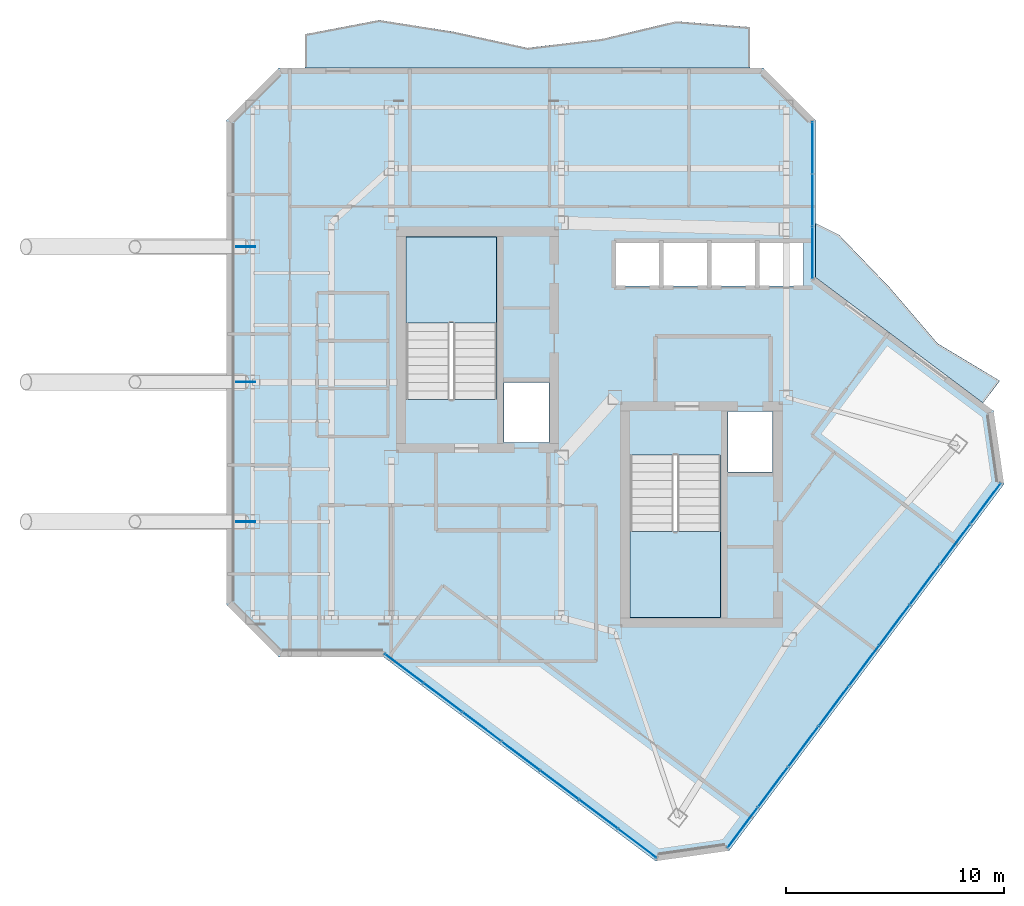
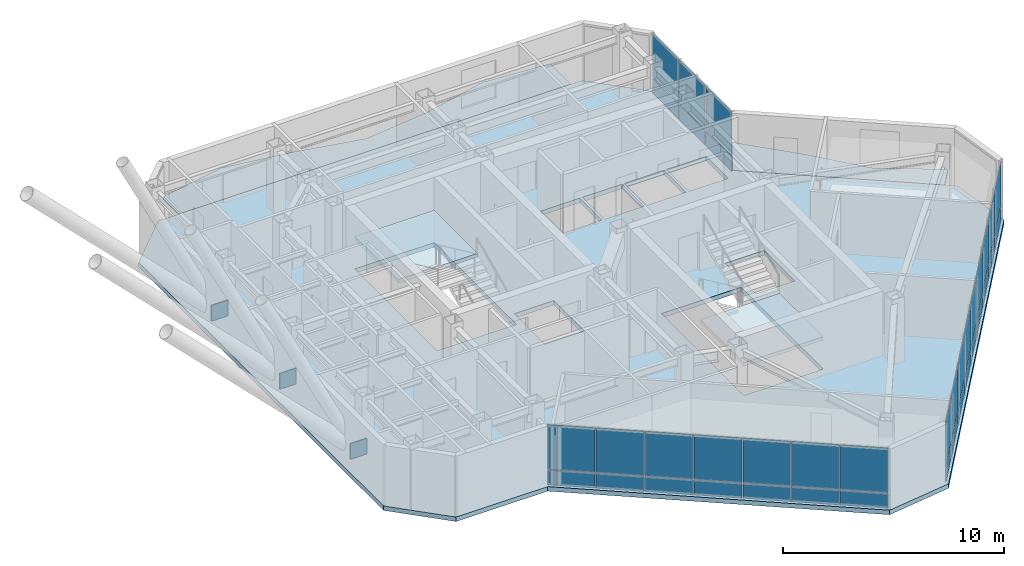
# One storey, part 14 of 21: 41 plates, 5 slabs, 5 elements without a shape of their own.
"""IFC4 building model written with IfcOpenShell, lengths in metres."""

from ifc_helpers import new_model, si_unit, direction, frame, origin, origin_2d, place, context, subcontext, project, spatial, polyline, rectangle, outline, extrude, material, layer, layer_set, type_object, element, aggregate, save


model = new_model("IFC4")

# Units and contexts
model_context = context("Model", 3, precision=1e-05, world=origin(), true_north=direction((0.0, 1.0)))
body_context = subcontext(model_context, "Body", "Model", "MODEL_VIEW")
ifc_project = project(units=[si_unit("LENGTHUNIT", "METRE"), si_unit("AREAUNIT", "SQUARE_METRE"), si_unit("VOLUMEUNIT", "CUBIC_METRE"), si_unit("PLANEANGLEUNIT", "RADIAN"), si_unit("MASSUNIT", "GRAM", prefix="KILO")], contexts=[model_context])

# Site, building, storey
site_placement = place(None, origin())
site = spatial("IfcSite", under=ifc_project, at=site_placement, CompositionType="ELEMENT")
building_placement = place(site_placement, origin())
building = spatial("IfcBuilding", under=site, at=building_placement, Name="Hatsunagi Terrace Concourse", CompositionType="ELEMENT")
storey_placement = place(building_placement, frame((0.0, 0.0, 246.75)))
storey = spatial("IfcBuildingStorey", under=building, at=storey_placement, Name="L65", CompositionType="ELEMENT", Elevation=246.75)

# Curtain wall, plates
ifc_material_1 = material(Name="Anodised Aluminium Alloy 6063-T5", Category="aluminium")
ifc_layer_1 = layer(ifc_material_1, 0.199951171875)
ifc_layer_set_1 = layer_set([ifc_layer_1], Name="OfficeZone2_CW04")
curtain_wall_type = type_object("IfcCurtainWallType", Name="OfficeZone2_CW04", PredefinedType="NOTDEFINED", material=ifc_layer_set_1)
curtain_wall_1_placement = place(storey_placement, origin())
curtain_wall_1 = element("IfcCurtainWall", 1, at=curtain_wall_1_placement, inside=storey, type_object=curtain_wall_type, Name="Unitised Curtain Wall CW-04 CW-L65-03", PredefinedType="NOTDEFINED")
ifc_material_2 = material(Name="Warm Terracotta Ceramic Spandrel Panel", Category="masonry")
ifc_layer_2 = layer(ifc_material_2, 0.031982421875)
ifc_layer_set_2 = layer_set([ifc_layer_2], Name="CurtainWallSpandrelPanel_32")
plate_type_1 = type_object("IfcPlateType", Name="CurtainWallSpandrelPanel_32", PredefinedType="SHEET", material=ifc_layer_set_2)
plate_1_placement = place(storey_placement, frame((52.797119140625, 30.429931640625, 0.030029296875), z_axis=(0.0, 0.0, 1.0), x_axis=(-0.599969314634, -0.800023013105, 0.0)))
plate_1 = element("IfcPlate", 2, at=plate_1_placement, type_object=plate_type_1, Name="Terracotta Spandrel Panel SPN-01", PredefinedType="SHEET", context=body_context, shape_type="SweptSolid", body=[
    extrude(rectangle(XDim=2.264892578125, YDim=0.031982421875, at=origin_2d()), origin(), (0.0, 0.0, 1.0), 0.7900390625),
])
plate_2_placement = place(storey_placement, frame((51.405029296875, 28.572998046875, 0.030029296875), z_axis=(0.0, 0.0, 1.0), x_axis=(-0.599969314634, -0.800023013105, 0.0)))
plate_2 = element("IfcPlate", 3, at=plate_2_placement, type_object=plate_type_1, Name="Terracotta Spandrel Panel SPN-01", PredefinedType="SHEET", context=body_context, shape_type="SweptSolid", body=[
    extrude(rectangle(XDim=2.264892578125, YDim=0.031982421875, at=origin_2d()), origin(), (0.0, 0.0, 1.0), 0.7900390625),
])
plate_3_placement = place(storey_placement, frame((50.011962890625, 26.717041015625, 0.030029296875), z_axis=(0.0, 0.0, 1.0), x_axis=(-0.599969314634, -0.800023013105, 0.0)))
plate_3 = element("IfcPlate", 4, at=plate_3_placement, type_object=plate_type_1, Name="Terracotta Spandrel Panel SPN-01", PredefinedType="SHEET", context=body_context, shape_type="SweptSolid", body=[
    extrude(rectangle(XDim=2.264892578125, YDim=0.031982421875, at=origin_2d()), origin(), (0.0, 0.0, 1.0), 0.7900390625),
])
plate_4_placement = place(storey_placement, frame((48.6201171875, 24.860107421875, 0.030029296875), z_axis=(0.0, 0.0, 1.0), x_axis=(-0.599969314634, -0.800023013105, 0.0)))
plate_4 = element("IfcPlate", 5, at=plate_4_placement, type_object=plate_type_1, Name="Terracotta Spandrel Panel SPN-01", PredefinedType="SHEET", context=body_context, shape_type="SweptSolid", body=[
    extrude(rectangle(XDim=2.264892578125, YDim=0.031982421875, at=origin_2d()), origin(), (0.0, 0.0, 1.0), 0.7900390625),
])
plate_5_placement = place(storey_placement, frame((47.22802734375, 23.00390625, 0.030029296875), z_axis=(0.0, 0.0, 1.0), x_axis=(-0.599969314634, -0.800023013105, 0.0)))
plate_5 = element("IfcPlate", 6, at=plate_5_placement, type_object=plate_type_1, Name="Terracotta Spandrel Panel SPN-01", PredefinedType="SHEET", context=body_context, shape_type="SweptSolid", body=[
    extrude(rectangle(XDim=2.264892578125, YDim=0.031982421875, at=origin_2d()), origin(), (0.0, 0.0, 1.0), 0.7900390625),
])
plate_6_placement = place(storey_placement, frame((45.8359375, 21.14794921875, 0.030029296875), z_axis=(0.0, 0.0, 1.0), x_axis=(-0.599969314634, -0.800023013105, 0.0)))
plate_6 = element("IfcPlate", 7, at=plate_6_placement, type_object=plate_type_1, Name="Terracotta Spandrel Panel SPN-01", PredefinedType="SHEET", context=body_context, shape_type="SweptSolid", body=[
    extrude(rectangle(XDim=2.264892578125, YDim=0.031982421875, at=origin_2d()), origin(), (0.0, 0.0, 1.0), 0.7900390625),
])
plate_7_placement = place(storey_placement, frame((44.444091796875, 19.291015625, 0.030029296875), z_axis=(0.0, 0.0, 1.0), x_axis=(-0.599969314634, -0.800023013105, 0.0)))
plate_7 = element("IfcPlate", 8, at=plate_7_placement, type_object=plate_type_1, Name="Terracotta Spandrel Panel SPN-01", PredefinedType="SHEET", context=body_context, shape_type="SweptSolid", body=[
    extrude(rectangle(XDim=2.264892578125, YDim=0.031982421875, at=origin_2d()), origin(), (0.0, 0.0, 1.0), 0.7900390625),
])
plate_8_placement = place(storey_placement, frame((43.051025390625, 17.43505859375, 0.030029296875), z_axis=(0.0, 0.0, 1.0), x_axis=(-0.599969314634, -0.800023013105, 0.0)))
plate_8 = element("IfcPlate", 9, at=plate_8_placement, type_object=plate_type_1, Name="Terracotta Spandrel Panel SPN-01", PredefinedType="SHEET", context=body_context, shape_type="SweptSolid", body=[
    extrude(rectangle(XDim=2.264892578125, YDim=0.031982421875, at=origin_2d()), origin(), (0.0, 0.0, 1.0), 0.7900390625),
])
plate_9_placement = place(storey_placement, frame((41.658935546875, 15.577880859375, 0.030029296875), z_axis=(0.0, 0.0, 1.0), x_axis=(-0.599969314634, -0.800023013105, 0.0)))
plate_9 = element("IfcPlate", 10, at=plate_9_placement, type_object=plate_type_1, Name="Terracotta Spandrel Panel SPN-01", PredefinedType="SHEET", context=body_context, shape_type="SweptSolid", body=[
    extrude(rectangle(XDim=2.264892578125, YDim=0.031982421875, at=origin_2d()), origin(), (0.0, 0.0, 1.0), 0.7900390625),
])

curtain_wall_2_placement = place(storey_placement, origin())
curtain_wall_2 = element("IfcCurtainWall", 11, at=curtain_wall_2_placement, inside=storey, type_object=curtain_wall_type, Name="Unitised Curtain Wall CW-04 CW-L65-05", PredefinedType="NOTDEFINED")
plate_10_placement = place(storey_placement, frame((36.826904296875, 14.85498046875, 0.030029296875), z_axis=(0.0, 0.0, 1.0), x_axis=(-0.800007305671, 0.599990258982, 0.0)))
plate_10 = element("IfcPlate", 12, at=plate_10_placement, type_object=plate_type_1, Name="Terracotta Spandrel Panel SPN-01", PredefinedType="SHEET", context=body_context, shape_type="SweptSolid", body=[
    extrude(rectangle(XDim=2.172119140625, YDim=0.031982421875, at=origin_2d()), origin(), (0.0, 0.0, 1.0), 0.7900390625),
])
plate_11_placement = place(storey_placement, frame((35.0458984375, 16.19091796875, 0.030029296875), z_axis=(0.0, 0.0, 1.0), x_axis=(-0.800007305671, 0.599990258982, 0.0)))
plate_11 = element("IfcPlate", 13, at=plate_11_placement, type_object=plate_type_1, Name="Terracotta Spandrel Panel SPN-01", PredefinedType="SHEET", context=body_context, shape_type="SweptSolid", body=[
    extrude(rectangle(XDim=2.172119140625, YDim=0.031982421875, at=origin_2d()), origin(), (0.0, 0.0, 1.0), 0.7900390625),
])
plate_12_placement = place(storey_placement, frame((33.263916015625, 17.527099609375, 0.030029296875), z_axis=(0.0, 0.0, 1.0), x_axis=(-0.800007305671, 0.599990258982, 0.0)))
plate_12 = element("IfcPlate", 14, at=plate_12_placement, type_object=plate_type_1, Name="Terracotta Spandrel Panel SPN-01", PredefinedType="SHEET", context=body_context, shape_type="SweptSolid", body=[
    extrude(rectangle(XDim=2.172119140625, YDim=0.031982421875, at=origin_2d()), origin(), (0.0, 0.0, 1.0), 0.7900390625),
])
plate_13_placement = place(storey_placement, frame((31.48291015625, 18.863037109375, 0.030029296875), z_axis=(0.0, 0.0, 1.0), x_axis=(-0.800007305671, 0.599990258982, 0.0)))
plate_13 = element("IfcPlate", 15, at=plate_13_placement, type_object=plate_type_1, Name="Terracotta Spandrel Panel SPN-01", PredefinedType="SHEET", context=body_context, shape_type="SweptSolid", body=[
    extrude(rectangle(XDim=2.172119140625, YDim=0.031982421875, at=origin_2d()), origin(), (0.0, 0.0, 1.0), 0.7900390625),
])
plate_14_placement = place(storey_placement, frame((29.700927734375, 20.199951171875, 0.030029296875), z_axis=(0.0, 0.0, 1.0), x_axis=(-0.800007305671, 0.599990258982, 0.0)))
plate_14 = element("IfcPlate", 16, at=plate_14_placement, type_object=plate_type_1, Name="Terracotta Spandrel Panel SPN-01", PredefinedType="SHEET", context=body_context, shape_type="SweptSolid", body=[
    extrude(rectangle(XDim=2.172119140625, YDim=0.031982421875, at=origin_2d()), origin(), (0.0, 0.0, 1.0), 0.7900390625),
])
plate_15_placement = place(storey_placement, frame((27.9189453125, 21.535888671875, 0.030029296875), z_axis=(0.0, 0.0, 1.0), x_axis=(-0.800007305671, 0.599990258982, 0.0)))
plate_15 = element("IfcPlate", 17, at=plate_15_placement, type_object=plate_type_1, Name="Terracotta Spandrel Panel SPN-01", PredefinedType="SHEET", context=body_context, shape_type="SweptSolid", body=[
    extrude(rectangle(XDim=2.172119140625, YDim=0.031982421875, at=origin_2d()), origin(), (0.0, 0.0, 1.0), 0.7900390625),
])
plate_16_placement = place(storey_placement, frame((26.137939453125, 22.8720703125, 0.030029296875), z_axis=(0.0, 0.0, 1.0), x_axis=(-0.800007305671, 0.599990258982, 0.0)))
plate_16 = element("IfcPlate", 18, at=plate_16_placement, type_object=plate_type_1, Name="Terracotta Spandrel Panel SPN-01", PredefinedType="SHEET", context=body_context, shape_type="SweptSolid", body=[
    extrude(rectangle(XDim=2.172119140625, YDim=0.031982421875, at=origin_2d()), origin(), (0.0, 0.0, 1.0), 0.7900390625),
])

curtain_wall_3_placement = place(storey_placement, origin())
curtain_wall_3 = element("IfcCurtainWall", 19, at=curtain_wall_3_placement, inside=storey, type_object=curtain_wall_type, Name="Unitised Curtain Wall CW-04 CW-L65-12", PredefinedType="NOTDEFINED")
plate_17_placement = place(storey_placement, frame((44.860107421875, 46.739990234375, 0.030029296875), z_axis=(0.0, 0.0, 1.0), x_axis=(0.0, -1.0, 0.0)))
plate_17 = element("IfcPlate", 20, at=plate_17_placement, type_object=plate_type_1, Name="Terracotta Spandrel Panel SPN-01", PredefinedType="SHEET", context=body_context, shape_type="SweptSolid", body=[
    extrude(rectangle(XDim=2.34912109375, YDim=0.031982421875, at=origin_2d()), origin(), (0.0, 0.0, 1.0), 0.7900390625),
])
plate_18_placement = place(storey_placement, frame((44.860107421875, 44.3359375, 0.030029296875), z_axis=(0.0, 0.0, 1.0), x_axis=(0.0, -1.0, 0.0)))
plate_18 = element("IfcPlate", 21, at=plate_18_placement, type_object=plate_type_1, Name="Terracotta Spandrel Panel SPN-01", PredefinedType="SHEET", context=body_context, shape_type="SweptSolid", body=[
    extrude(rectangle(XDim=2.34912109375, YDim=0.031982421875, at=origin_2d()), origin(), (0.0, 0.0, 1.0), 0.7900390625),
])
plate_19_placement = place(storey_placement, frame((44.860107421875, 41.931884765625, 0.030029296875), z_axis=(0.0, 0.0, 1.0), x_axis=(0.0, -1.0, 0.0)))
plate_19 = element("IfcPlate", 22, at=plate_19_placement, type_object=plate_type_1, Name="Terracotta Spandrel Panel SPN-01", PredefinedType="SHEET", context=body_context, shape_type="SweptSolid", body=[
    extrude(rectangle(XDim=2.34912109375, YDim=0.031982421875, at=origin_2d()), origin(), (0.0, 0.0, 1.0), 0.7900390625),
])

# Plate
ifc_material_3 = material(Name="Low-E Double Insulating Glass 28mm", Category="glass")
ifc_layer_3 = layer(ifc_material_3, 0.028076171875)
ifc_layer_set_3 = layer_set([ifc_layer_3], Name="CurtainWallVisionGlass_28")
plate_type_2 = type_object("IfcPlateType", Name="CurtainWallVisionGlass_28", PredefinedType="CURTAIN_PANEL", material=ifc_layer_set_3)
plate_20_placement = place(storey_placement, frame((52.797119140625, 30.429931640625, 0.880126953125), z_axis=(0.0, 0.0, 1.0), x_axis=(-0.599969314634, -0.800023013105, 0.0)))
plate_20 = element("IfcPlate", 23, at=plate_20_placement, type_object=plate_type_2, Name="Low-E Vision Glass Panel GLZ-01", PredefinedType="CURTAIN_PANEL", context=body_context, shape_type="SweptSolid", body=[
    extrude(rectangle(XDim=2.264892578125, YDim=0.028076171875, at=origin_2d()), origin(), (0.0, 0.0, 1.0), 2.43994140625),
])

plate_21_placement = place(storey_placement, frame((51.405029296875, 28.572998046875, 0.880126953125), z_axis=(0.0, 0.0, 1.0), x_axis=(-0.599969314634, -0.800023013105, 0.0)))
plate_21 = element("IfcPlate", 24, at=plate_21_placement, type_object=plate_type_2, Name="Low-E Vision Glass Panel GLZ-01", PredefinedType="CURTAIN_PANEL", context=body_context, shape_type="SweptSolid", body=[
    extrude(rectangle(XDim=2.264892578125, YDim=0.028076171875, at=origin_2d()), origin(), (0.0, 0.0, 1.0), 2.43994140625),
])

plate_22_placement = place(storey_placement, frame((50.011962890625, 26.717041015625, 0.880126953125), z_axis=(0.0, 0.0, 1.0), x_axis=(-0.599969314634, -0.800023013105, 0.0)))
plate_22 = element("IfcPlate", 25, at=plate_22_placement, type_object=plate_type_2, Name="Low-E Vision Glass Panel GLZ-01", PredefinedType="CURTAIN_PANEL", context=body_context, shape_type="SweptSolid", body=[
    extrude(rectangle(XDim=2.264892578125, YDim=0.028076171875, at=origin_2d()), origin(), (0.0, 0.0, 1.0), 2.43994140625),
])

plate_23_placement = place(storey_placement, frame((48.6201171875, 24.860107421875, 0.880126953125), z_axis=(0.0, 0.0, 1.0), x_axis=(-0.599969314634, -0.800023013105, 0.0)))
plate_23 = element("IfcPlate", 26, at=plate_23_placement, type_object=plate_type_2, Name="Low-E Vision Glass Panel GLZ-01", PredefinedType="CURTAIN_PANEL", context=body_context, shape_type="SweptSolid", body=[
    extrude(rectangle(XDim=2.264892578125, YDim=0.028076171875, at=origin_2d()), origin(), (0.0, 0.0, 1.0), 2.43994140625),
])

plate_24_placement = place(storey_placement, frame((47.22802734375, 23.00390625, 0.880126953125), z_axis=(0.0, 0.0, 1.0), x_axis=(-0.599969314634, -0.800023013105, 0.0)))
plate_24 = element("IfcPlate", 27, at=plate_24_placement, type_object=plate_type_2, Name="Low-E Vision Glass Panel GLZ-01", PredefinedType="CURTAIN_PANEL", context=body_context, shape_type="SweptSolid", body=[
    extrude(rectangle(XDim=2.264892578125, YDim=0.028076171875, at=origin_2d()), origin(), (0.0, 0.0, 1.0), 2.43994140625),
])

plate_25_placement = place(storey_placement, frame((45.8359375, 21.14794921875, 0.880126953125), z_axis=(0.0, 0.0, 1.0), x_axis=(-0.599969314634, -0.800023013105, 0.0)))
plate_25 = element("IfcPlate", 28, at=plate_25_placement, type_object=plate_type_2, Name="Low-E Vision Glass Panel GLZ-01", PredefinedType="CURTAIN_PANEL", context=body_context, shape_type="SweptSolid", body=[
    extrude(rectangle(XDim=2.264892578125, YDim=0.028076171875, at=origin_2d()), origin(), (0.0, 0.0, 1.0), 2.43994140625),
])

plate_26_placement = place(storey_placement, frame((44.444091796875, 19.291015625, 0.880126953125), z_axis=(0.0, 0.0, 1.0), x_axis=(-0.599969314634, -0.800023013105, 0.0)))
plate_26 = element("IfcPlate", 29, at=plate_26_placement, type_object=plate_type_2, Name="Low-E Vision Glass Panel GLZ-01", PredefinedType="CURTAIN_PANEL", context=body_context, shape_type="SweptSolid", body=[
    extrude(rectangle(XDim=2.264892578125, YDim=0.028076171875, at=origin_2d()), origin(), (0.0, 0.0, 1.0), 2.43994140625),
])

plate_27_placement = place(storey_placement, frame((43.051025390625, 17.43505859375, 0.880126953125), z_axis=(0.0, 0.0, 1.0), x_axis=(-0.599969314634, -0.800023013105, 0.0)))
plate_27 = element("IfcPlate", 30, at=plate_27_placement, type_object=plate_type_2, Name="Low-E Vision Glass Panel GLZ-01", PredefinedType="CURTAIN_PANEL", context=body_context, shape_type="SweptSolid", body=[
    extrude(rectangle(XDim=2.264892578125, YDim=0.028076171875, at=origin_2d()), origin(), (0.0, 0.0, 1.0), 2.43994140625),
])

plate_28_placement = place(storey_placement, frame((41.658935546875, 15.577880859375, 0.880126953125), z_axis=(0.0, 0.0, 1.0), x_axis=(-0.599969314634, -0.800023013105, 0.0)))
plate_28 = element("IfcPlate", 31, at=plate_28_placement, type_object=plate_type_2, Name="Low-E Vision Glass Panel GLZ-01", PredefinedType="CURTAIN_PANEL", context=body_context, shape_type="SweptSolid", body=[
    extrude(rectangle(XDim=2.264892578125, YDim=0.028076171875, at=origin_2d()), origin(), (0.0, 0.0, 1.0), 2.43994140625),
])

aggregate(curtain_wall_1, [plate_1, plate_20, plate_2, plate_21, plate_3, plate_22, plate_4, plate_23, plate_5, plate_24, plate_6, plate_25, plate_7, plate_26, plate_8, plate_27, plate_9, plate_28])

plate_29_placement = place(storey_placement, frame((36.826904296875, 14.85498046875, 0.880126953125), z_axis=(0.0, 0.0, 1.0), x_axis=(-0.800007305671, 0.599990258982, 0.0)))
plate_29 = element("IfcPlate", 32, at=plate_29_placement, type_object=plate_type_2, Name="Low-E Vision Glass Panel GLZ-01", PredefinedType="CURTAIN_PANEL", context=body_context, shape_type="SweptSolid", body=[
    extrude(rectangle(XDim=2.172119140625, YDim=0.028076171875, at=origin_2d()), origin(), (0.0, 0.0, 1.0), 2.43994140625),
])

plate_30_placement = place(storey_placement, frame((35.0458984375, 16.19091796875, 0.880126953125), z_axis=(0.0, 0.0, 1.0), x_axis=(-0.800007305671, 0.599990258982, 0.0)))
plate_30 = element("IfcPlate", 33, at=plate_30_placement, type_object=plate_type_2, Name="Low-E Vision Glass Panel GLZ-01", PredefinedType="CURTAIN_PANEL", context=body_context, shape_type="SweptSolid", body=[
    extrude(rectangle(XDim=2.172119140625, YDim=0.028076171875, at=origin_2d()), origin(), (0.0, 0.0, 1.0), 2.43994140625),
])

plate_31_placement = place(storey_placement, frame((33.263916015625, 17.527099609375, 0.880126953125), z_axis=(0.0, 0.0, 1.0), x_axis=(-0.800007305671, 0.599990258982, 0.0)))
plate_31 = element("IfcPlate", 34, at=plate_31_placement, type_object=plate_type_2, Name="Low-E Vision Glass Panel GLZ-01", PredefinedType="CURTAIN_PANEL", context=body_context, shape_type="SweptSolid", body=[
    extrude(rectangle(XDim=2.172119140625, YDim=0.028076171875, at=origin_2d()), origin(), (0.0, 0.0, 1.0), 2.43994140625),
])

plate_32_placement = place(storey_placement, frame((31.48291015625, 18.863037109375, 0.880126953125), z_axis=(0.0, 0.0, 1.0), x_axis=(-0.800007305671, 0.599990258982, 0.0)))
plate_32 = element("IfcPlate", 35, at=plate_32_placement, type_object=plate_type_2, Name="Low-E Vision Glass Panel GLZ-01", PredefinedType="CURTAIN_PANEL", context=body_context, shape_type="SweptSolid", body=[
    extrude(rectangle(XDim=2.172119140625, YDim=0.028076171875, at=origin_2d()), origin(), (0.0, 0.0, 1.0), 2.43994140625),
])

plate_33_placement = place(storey_placement, frame((29.700927734375, 20.199951171875, 0.880126953125), z_axis=(0.0, 0.0, 1.0), x_axis=(-0.800007305671, 0.599990258982, 0.0)))
plate_33 = element("IfcPlate", 36, at=plate_33_placement, type_object=plate_type_2, Name="Low-E Vision Glass Panel GLZ-01", PredefinedType="CURTAIN_PANEL", context=body_context, shape_type="SweptSolid", body=[
    extrude(rectangle(XDim=2.172119140625, YDim=0.028076171875, at=origin_2d()), origin(), (0.0, 0.0, 1.0), 2.43994140625),
])

plate_34_placement = place(storey_placement, frame((27.9189453125, 21.535888671875, 0.880126953125), z_axis=(0.0, 0.0, 1.0), x_axis=(-0.800007305671, 0.599990258982, 0.0)))
plate_34 = element("IfcPlate", 37, at=plate_34_placement, type_object=plate_type_2, Name="Low-E Vision Glass Panel GLZ-01", PredefinedType="CURTAIN_PANEL", context=body_context, shape_type="SweptSolid", body=[
    extrude(rectangle(XDim=2.172119140625, YDim=0.028076171875, at=origin_2d()), origin(), (0.0, 0.0, 1.0), 2.43994140625),
])

plate_35_placement = place(storey_placement, frame((26.137939453125, 22.8720703125, 0.880126953125), z_axis=(0.0, 0.0, 1.0), x_axis=(-0.800007305671, 0.599990258982, 0.0)))
plate_35 = element("IfcPlate", 38, at=plate_35_placement, type_object=plate_type_2, Name="Low-E Vision Glass Panel GLZ-01", PredefinedType="CURTAIN_PANEL", context=body_context, shape_type="SweptSolid", body=[
    extrude(rectangle(XDim=2.172119140625, YDim=0.028076171875, at=origin_2d()), origin(), (0.0, 0.0, 1.0), 2.43994140625),
])

aggregate(curtain_wall_2, [plate_10, plate_29, plate_11, plate_30, plate_12, plate_31, plate_13, plate_32, plate_14, plate_33, plate_15, plate_34, plate_16, plate_35])

plate_36_placement = place(storey_placement, frame((44.860107421875, 46.739990234375, 0.880126953125), z_axis=(0.0, 0.0, 1.0), x_axis=(0.0, -1.0, 0.0)))
plate_36 = element("IfcPlate", 39, at=plate_36_placement, type_object=plate_type_2, Name="Low-E Vision Glass Panel GLZ-01", PredefinedType="CURTAIN_PANEL", context=body_context, shape_type="SweptSolid", body=[
    extrude(rectangle(XDim=2.34912109375, YDim=0.028076171875, at=origin_2d()), origin(), (0.0, 0.0, 1.0), 2.43994140625),
])

plate_37_placement = place(storey_placement, frame((44.860107421875, 44.3359375, 0.880126953125), z_axis=(0.0, 0.0, 1.0), x_axis=(0.0, -1.0, 0.0)))
plate_37 = element("IfcPlate", 40, at=plate_37_placement, type_object=plate_type_2, Name="Low-E Vision Glass Panel GLZ-01", PredefinedType="CURTAIN_PANEL", context=body_context, shape_type="SweptSolid", body=[
    extrude(rectangle(XDim=2.34912109375, YDim=0.028076171875, at=origin_2d()), origin(), (0.0, 0.0, 1.0), 2.43994140625),
])

plate_38_placement = place(storey_placement, frame((44.860107421875, 41.931884765625, 0.880126953125), z_axis=(0.0, 0.0, 1.0), x_axis=(0.0, -1.0, 0.0)))
plate_38 = element("IfcPlate", 41, at=plate_38_placement, type_object=plate_type_2, Name="Low-E Vision Glass Panel GLZ-01", PredefinedType="CURTAIN_PANEL", context=body_context, shape_type="SweptSolid", body=[
    extrude(rectangle(XDim=2.34912109375, YDim=0.028076171875, at=origin_2d()), origin(), (0.0, 0.0, 1.0), 2.43994140625),
])

aggregate(curtain_wall_3, [plate_17, plate_36, plate_18, plate_37, plate_19, plate_38])

# Stair, slab
ifc_material_4 = material(Name="Concrete Fc42", Category="concrete")
stair_type = type_object("IfcStairType", Name="DoglegExitStair_Tower2000_20R_180", PredefinedType="HALF_TURN_STAIR", material=ifc_material_4)
stair_1_placement = place(storey_placement, origin())
stair_1 = element("IfcStair", 42, at=stair_1_placement, inside=storey, type_object=stair_type, Name="L65 Core A Protected Exit Stair ST-A", PredefinedType="HALF_TURN_STAIR")
ifc_material_5 = material(Name="Concrete Fc42", Category="concrete")
ifc_layer_4 = layer(ifc_material_5, 0.199951171875)
ifc_layer_set_4 = layer_set([ifc_layer_4], Name="DoglegStairLanding_Tower2000")
slab_type_1 = type_object("IfcSlabType", Name="DoglegStairLanding_Tower2000", PredefinedType="LANDING", material=ifc_layer_set_4)
slab_1_placement = place(storey_placement, frame((0.0, 0.0, 1.60009765625)))
slab_1 = element("IfcSlab", 43, at=slab_1_placement, type_object=slab_type_1, Name="ST-A landing 1", PredefinedType="LANDING", context=body_context, shape_type="SweptSolid", body=[
    extrude(outline(polyline([(30.3798828125, 38.7099609375), (30.3798828125, 42.659912109375), (26.22998046875, 42.659912109375), (26.22998046875, 38.7099609375), (30.3798828125, 38.7099609375)])), origin(), (0.0, 0.0, 1.0), 0.199951171875),
])
aggregate(stair_1, [slab_1])

stair_2_placement = place(storey_placement, origin())
stair_2 = element("IfcStair", 44, at=stair_2_placement, inside=storey, type_object=stair_type, Name="L65 Core B Protected Exit Stair ST-B", PredefinedType="HALF_TURN_STAIR")
slab_2_placement = place(storey_placement, frame((0.0, 0.0, 1.60009765625)))
slab_2 = element("IfcSlab", 45, at=slab_2_placement, type_object=slab_type_1, Name="ST-B landing 1", PredefinedType="LANDING", context=body_context, shape_type="SweptSolid", body=[
    extrude(outline(polyline([(36.5, 29.14990234375), (36.5, 25.199951171875), (40.64990234375, 25.199951171875), (40.64990234375, 29.14990234375), (36.5, 29.14990234375)])), origin(), (0.0, 0.0, 1.0), 0.199951171875),
])
aggregate(stair_2, [slab_2])

# Slabs
ifc_material_6 = material(Name="Concrete Fc42", Category="concrete")
ifc_layer_5 = layer(ifc_material_6, 0.199951171875)
ifc_layer_set_5 = layer_set([ifc_layer_5], Name="EngawaBalconySlab_Fc42_200")
slab_type_2 = type_object("IfcSlabType", Name="EngawaBalconySlab_Fc42_200", PredefinedType="FLOOR", material=ifc_layer_set_5)
slab_3_placement = place(storey_placement, frame((0.0, 0.0, -0.199951171875)))
element("IfcSlab", 46, at=slab_3_placement, inside=storey, type_object=slab_type_2, Name="Engawa Balcony Slab BAL-L65-BN", PredefinedType="FLOOR", context=body_context, shape_type="SweptSolid", body=[
    extrude(outline(polyline([(21.60009765625, 51.949951171875), (21.60009765625, 50.39990234375), (42.0, 50.39990234375), (42.0, 52.27490234375), (38.60009765625, 52.5390625), (35.199951171875, 51.72802734375), (31.800048828125, 51.322021484375), (28.39990234375, 52.06298828125), (25.0, 52.597900390625), (21.60009765625, 51.949951171875)])), origin(), (0.0, 0.0, 1.0), 0.199951171875),
])
slab_4_placement = place(storey_placement, frame((0.0, 0.0, -0.199951171875)))
element("IfcSlab", 47, at=slab_4_placement, inside=storey, type_object=slab_type_2, Name="Engawa Balcony Slab BAL-L65-BSE", PredefinedType="FLOOR", context=body_context, shape_type="SweptSolid", body=[
    extrude(outline(polyline([(46.080078125, 42.739990234375), (44.99609375, 43.284912109375), (44.99609375, 40.802978515625), (52.679931640625, 35.0400390625), (53.445068359375, 36.06005859375), (50.597900390625, 37.763916015625), (48.39794921875, 40.330078125), (46.080078125, 42.739990234375)])), origin(), (0.0, 0.0, 1.0), 0.199951171875),
])
ifc_material_7 = material(Name="Concrete Fc42", Category="concrete")
ifc_layer_6 = layer(ifc_material_7, 0.25)
ifc_layer_set_6 = layer_set([ifc_layer_6], Name="OfficeCrownSlab_Fc42_250")
slab_type_3 = type_object("IfcSlabType", Name="OfficeCrownSlab_Fc42_250", PredefinedType="FLOOR", material=ifc_layer_set_6)
slab_5_placement = place(storey_placement, frame((0.0, 0.0, -0.25)))
element("IfcSlab", 48, at=slab_5_placement, inside=storey, type_object=slab_type_3, Name="Floor Slab SL-250 L65", PredefinedType="FLOOR", context=body_context, shape_type="SweptSolid", body=[
    extrude(outline(polyline([(45.0, 40.800048828125), (45.0, 48.0), (42.60009765625, 50.39990234375), (20.39990234375, 50.39990234375), (18.0, 48.0), (18.0, 25.800048828125), (20.39990234375, 23.39990234375), (25.199951171875, 23.39990234375), (37.679931640625, 14.0400390625), (41.0400390625, 14.52001953125), (53.639892578125, 31.320068359375), (53.159912109375, 34.679931640625), (45.0, 40.800048828125)]), holes=[polyline([(26.22998046875, 35.205078125), (30.3798828125, 35.205078125), (30.3798828125, 42.659912109375), (26.22998046875, 42.659912109375), (26.22998046875, 35.205078125)]), polyline([(36.5, 25.199951171875), (40.64990234375, 25.199951171875), (40.64990234375, 32.655029296875), (36.5, 32.655029296875), (36.5, 25.199951171875)]), polyline([(30.719970703125, 33.219970703125), (32.780029296875, 33.219970703125), (32.780029296875, 35.97998046875), (30.719970703125, 35.97998046875), (30.719970703125, 33.219970703125)]), polyline([(40.97998046875, 31.8798828125), (43.02001953125, 31.8798828125), (43.02001953125, 34.639892578125), (40.97998046875, 34.639892578125), (40.97998046875, 31.8798828125)]), polyline([(35.800048828125, 40.39990234375), (37.85009765625, 40.39990234375), (37.85009765625, 42.39990234375), (35.800048828125, 42.39990234375), (35.800048828125, 40.39990234375)]), polyline([(38.0, 40.39990234375), (40.050048828125, 40.39990234375), (40.050048828125, 42.39990234375), (38.0, 42.39990234375), (38.0, 40.39990234375)]), polyline([(40.199951171875, 40.39990234375), (42.25, 40.39990234375), (42.25, 42.39990234375), (40.199951171875, 42.39990234375), (40.199951171875, 40.39990234375)]), polyline([(42.39990234375, 40.39990234375), (44.449951171875, 40.39990234375), (44.449951171875, 42.39990234375), (42.39990234375, 42.39990234375), (42.39990234375, 40.39990234375)])]), origin(), (0.0, 0.0, 1.0), 0.25),
])

# Plates
ifc_material_8 = material(Name="Steel SN490C", Category="steel")
ifc_layer_7 = layer(ifc_material_8, 0.0380859375)
ifc_layer_set_7 = layer_set([ifc_layer_7], Name="SkyLoungeRakerGussetPlate_38")
plate_type_3 = type_object("IfcPlateType", Name="SkyLoungeRakerGussetPlate_38", PredefinedType="USERDEFINED", material=ifc_layer_set_7)
for number, where, z_axis, x_axis, name in (
    (49, (18.8798828125, 29.60009765625, 0.1201171875), (0.0, 0.0, 1.0), (1.0, 0.0, 0.0), "Sky Lounge Raker Foot Gusset GP-04 #1"),
    (50, (18.8798828125, 36.0, 0.1201171875), (0.0, 0.0, 1.0), (1.0, 0.0, 0.0), "Sky Lounge Raker Foot Gusset GP-04 #2"),
    (51, (18.8798828125, 42.199951171875, 0.1201171875), (0.0, 0.0, 1.0), (1.0, 0.0, 0.0), "Sky Lounge Raker Foot Gusset GP-04 #3"),
):
    element("IfcPlate", number, at=place(storey_placement, frame(where, z_axis=z_axis, x_axis=x_axis)), inside=storey, type_object=plate_type_3, Name=name, ObjectType="GUSSET_PLATE", PredefinedType="USERDEFINED", context=body_context, shape_type="SweptSolid", body=[
        extrude(rectangle(XDim=0.860107421875, YDim=0.0380859375, at=origin_2d()), origin(), (0.0, 0.0, 1.0), 0.860107421875),
    ])

save(model, "model.ifc")
